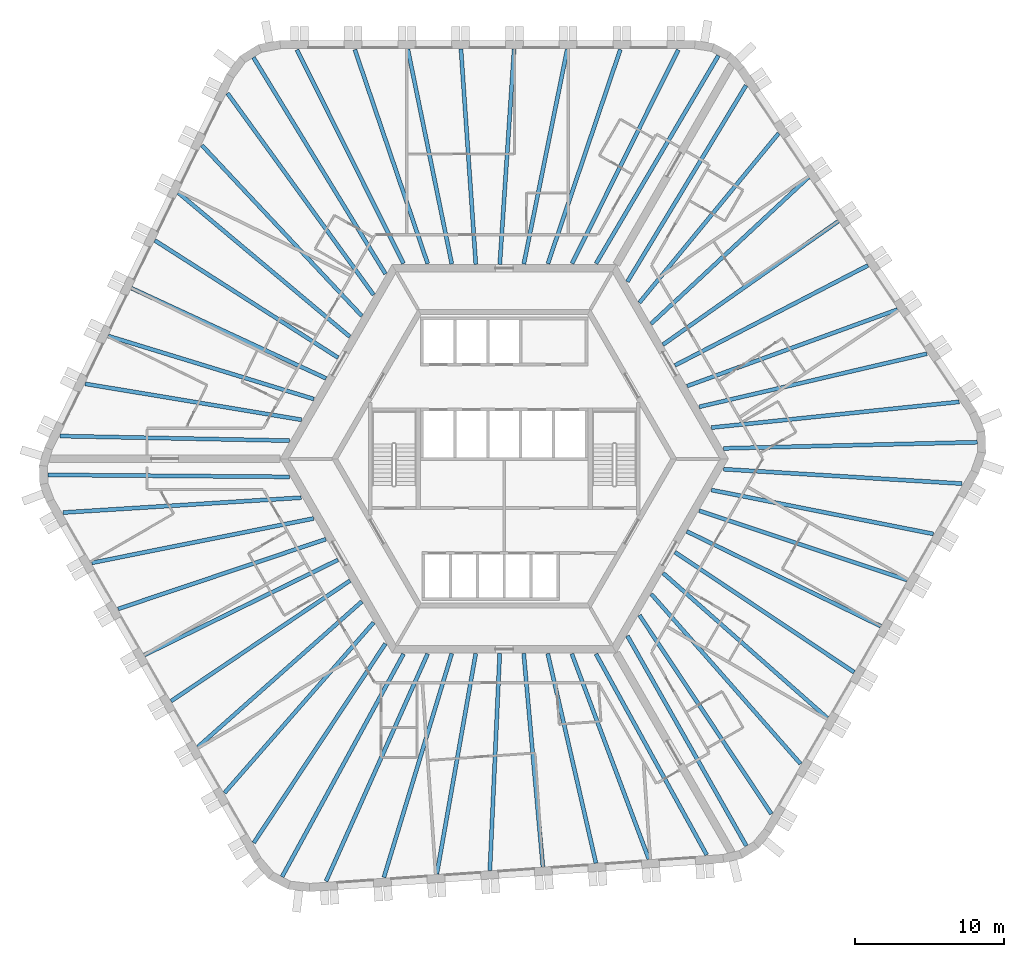
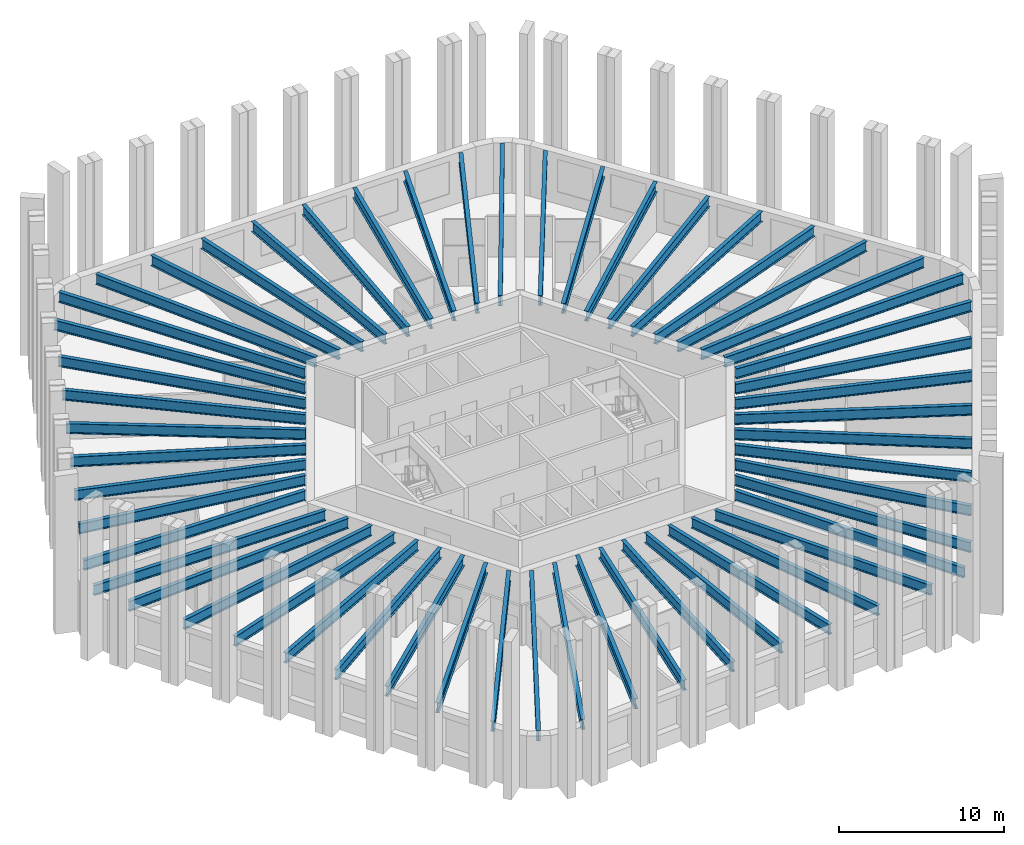
# One storey, part 1 of 11: 54 beams.
"""IFC4 building model written with IfcOpenShell, lengths in metres."""

from ifc_helpers import new_model, si_unit, direction, frame, origin, origin_2d, place, context, subcontext, project, spatial, i_section, extrude, material, material_profile, profile_set, type_object, element, save


model = new_model("IFC4")

# Units and contexts
model_context = context("Model", 3, precision=1e-05, world=origin(), true_north=direction((0.0, 1.0)))
body_context = subcontext(model_context, "Body", "Model", "MODEL_VIEW")
ifc_project = project(units=[si_unit("LENGTHUNIT", "METRE"), si_unit("AREAUNIT", "SQUARE_METRE"), si_unit("VOLUMEUNIT", "CUBIC_METRE"), si_unit("PLANEANGLEUNIT", "RADIAN"), si_unit("MASSUNIT", "GRAM", prefix="KILO")], contexts=[model_context])

# Site, building, storey
site_placement = place(None, origin())
site = spatial("IfcSite", under=ifc_project, at=site_placement, CompositionType="ELEMENT")
building_placement = place(site_placement, origin())
building = spatial("IfcBuilding", under=site, at=building_placement, Name="Tarnside Tower", CompositionType="ELEMENT")
storey_placement = place(building_placement, frame((0.0, 0.0, 183.89990234375)))
storey = spatial("IfcBuildingStorey", under=building, at=storey_placement, Name="L43", CompositionType="ELEMENT", Elevation=183.89990234375)

# Beams
ifc_material = material(Name="Steel S355", Category="steel")
ifc_material_profile_1 = material_profile(ifc_material, i_section(OverallWidth=0.26513671875, OverallDepth=0.75390625, WebThickness=0.0126953125, FlangeThickness=0.017578125, FilletRadius=0.0166015625, at=origin_2d()), Name="UB 762x267x147")
ifc_profile_set_1 = profile_set([ifc_material_profile_1], Name="Steel S355")
beam_type_1 = type_object("IfcBeamType", Name="Floor beam UB 762x267x147", PredefinedType="BEAM", material=ifc_profile_set_1)
beam_1_placement = place(storey_placement, frame((7.77001953125, 27.393310546875, 3.373046875), z_axis=(-0.320362579778, -0.947295000239, 0.0), x_axis=(0.947295000239, -0.320362579778, 0.0)))
element("IfcBeam", 1, at=beam_1_placement, inside=storey, type_object=beam_type_1, Name="Floor beam F1.02", PredefinedType="BEAM", context=body_context, shape_type="SweptSolid", body=[
    extrude(i_section(OverallWidth=0.26513671875, OverallDepth=0.75390625, WebThickness=0.0126953125, FlangeThickness=0.017578125, FilletRadius=0.0166015625, at=origin_2d()), origin(), (0.0, 0.0, 1.0), 15.134033203125),
])
beam_2_placement = place(storey_placement, frame((4.218505859375, 27.410888671875, 3.373046875), z_axis=(-0.19841777413, -0.980117537293, 0.0), x_axis=(0.980117537293, -0.19841777413, 0.0)))
element("IfcBeam", 2, at=beam_2_placement, inside=storey, type_object=beam_type_1, Name="Floor beam F1.03", PredefinedType="BEAM", context=body_context, shape_type="SweptSolid", body=[
    extrude(i_section(OverallWidth=0.26513671875, OverallDepth=0.75390625, WebThickness=0.0126953125, FlangeThickness=0.017578125, FilletRadius=0.0166015625, at=origin_2d()), origin(), (0.0, 0.0, 1.0), 14.6630859375),
])
beam_3_placement = place(storey_placement, frame((0.66259765625, 27.429931640625, 3.373046875), z_axis=(-0.066554914868, -0.997782763585, 0.0), x_axis=(0.997782763585, -0.066554914868, 0.0)))
element("IfcBeam", 3, at=beam_3_placement, inside=storey, type_object=beam_type_1, Name="Floor beam F1.04", PredefinedType="BEAM", context=body_context, shape_type="SweptSolid", body=[
    extrude(i_section(OverallWidth=0.26513671875, OverallDepth=0.75390625, WebThickness=0.0126953125, FlangeThickness=0.017578125, FilletRadius=0.0166015625, at=origin_2d()), origin(), (0.0, 0.0, 1.0), 14.44189453125),
])
beam_4_placement = place(storey_placement, frame((-2.8974609375, 27.429931640625, 3.373046875), z_axis=(0.068876921658, -0.997625164911, 0.0), x_axis=(0.997625164911, 0.068876921658, 0.0)))
element("IfcBeam", 4, at=beam_4_placement, inside=storey, type_object=beam_type_1, Name="Floor beam F1.05", PredefinedType="BEAM", context=body_context, shape_type="SweptSolid", body=[
    extrude(i_section(OverallWidth=0.26513671875, OverallDepth=0.75390625, WebThickness=0.0126953125, FlangeThickness=0.017578125, FilletRadius=0.0166015625, at=origin_2d()), origin(), (0.0, 0.0, 1.0), 14.4443359375),
])
beam_5_placement = place(storey_placement, frame((-6.45361328125, 27.410888671875, 3.373046875), z_axis=(0.200623497398, -0.979668419564, 0.0), x_axis=(0.979668419564, 0.200623497398, 0.0)))
element("IfcBeam", 5, at=beam_5_placement, inside=storey, type_object=beam_type_1, Name="Floor beam F1.06", PredefinedType="BEAM", context=body_context, shape_type="SweptSolid", body=[
    extrude(i_section(OverallWidth=0.26513671875, OverallDepth=0.75390625, WebThickness=0.0126953125, FlangeThickness=0.017578125, FilletRadius=0.0166015625, at=origin_2d()), origin(), (0.0, 0.0, 1.0), 14.669921875),
])
beam_6_placement = place(storey_placement, frame((-10.0048828125, 27.393310546875, 3.373046875), z_axis=(0.322343712034, -0.946622697442, 0.0), x_axis=(0.946622697442, 0.322343712034, 0.0)))
element("IfcBeam", 6, at=beam_6_placement, inside=storey, type_object=beam_type_1, Name="Floor beam F1.07", PredefinedType="BEAM", context=body_context, shape_type="SweptSolid", body=[
    extrude(i_section(OverallWidth=0.26513671875, OverallDepth=0.75390625, WebThickness=0.0126953125, FlangeThickness=0.017578125, FilletRadius=0.0166015625, at=origin_2d()), origin(), (0.0, 0.0, 1.0), 15.144775390625),
])
beam_7_placement = place(storey_placement, frame((-20.241455078125, 20.9892578125, 3.373046875), z_axis=(0.683752330283, -0.729714156936, 0.0), x_axis=(0.729714156936, 0.683752330283, 0.0)))
element("IfcBeam", 7, at=beam_7_placement, inside=storey, type_object=beam_type_1, Name="Floor beam F2.02", PredefinedType="BEAM", context=body_context, shape_type="SweptSolid", body=[
    extrude(i_section(OverallWidth=0.26513671875, OverallDepth=0.75390625, WebThickness=0.0126953125, FlangeThickness=0.017578125, FilletRadius=0.0166015625, at=origin_2d()), origin(), (0.0, 0.0, 1.0), 15.6591796875),
])
beam_8_placement = place(storey_placement, frame((-21.81396484375, 17.80419921875, 3.373046875), z_axis=(0.765948461073, -0.642901979294, 0.0), x_axis=(0.642901979294, 0.765948461073, 0.0)))
element("IfcBeam", 8, at=beam_8_placement, inside=storey, type_object=beam_type_1, Name="Floor beam F2.03", PredefinedType="BEAM", context=body_context, shape_type="SweptSolid", body=[
    extrude(i_section(OverallWidth=0.26513671875, OverallDepth=0.75390625, WebThickness=0.0126953125, FlangeThickness=0.017578125, FilletRadius=0.0166015625, at=origin_2d()), origin(), (0.0, 0.0, 1.0), 14.982177734375),
])
beam_9_placement = place(storey_placement, frame((-23.389892578125, 14.616455078125, 3.373046875), z_axis=(0.842378275633, -0.538886667808, 0.0), x_axis=(0.538886667808, 0.842378275633, 0.0)))
element("IfcBeam", 9, at=beam_9_placement, inside=storey, type_object=beam_type_1, Name="Floor beam F2.04", PredefinedType="BEAM", context=body_context, shape_type="SweptSolid", body=[
    extrude(i_section(OverallWidth=0.26513671875, OverallDepth=0.75390625, WebThickness=0.0126953125, FlangeThickness=0.017578125, FilletRadius=0.0166015625, at=origin_2d()), origin(), (0.0, 0.0, 1.0), 14.5595703125),
])
beam_10_placement = place(storey_placement, frame((-24.9501953125, 11.416748046875, 3.373046875), z_axis=(0.907310131748, -0.420462037321, 0.0), x_axis=(0.420462037321, 0.907310131748, 0.0)))
element("IfcBeam", 10, at=beam_10_placement, inside=storey, type_object=beam_type_1, Name="Floor beam F2.05", PredefinedType="BEAM", context=body_context, shape_type="SweptSolid", body=[
    extrude(i_section(OverallWidth=0.26513671875, OverallDepth=0.75390625, WebThickness=0.0126953125, FlangeThickness=0.017578125, FilletRadius=0.0166015625, at=origin_2d()), origin(), (0.0, 0.0, 1.0), 14.353515625),
])
beam_11_placement = place(storey_placement, frame((-26.510986328125, 8.2177734375, 3.373046875), z_axis=(0.956073348261, -0.293127536654, 0.0), x_axis=(0.293127536654, 0.956073348261, 0.0)))
element("IfcBeam", 11, at=beam_11_placement, inside=storey, type_object=beam_type_1, Name="Floor beam F2.06", PredefinedType="BEAM", context=body_context, shape_type="SweptSolid", body=[
    extrude(i_section(OverallWidth=0.26513671875, OverallDepth=0.75390625, WebThickness=0.0126953125, FlangeThickness=0.017578125, FilletRadius=0.0166015625, at=origin_2d()), origin(), (0.0, 0.0, 1.0), 14.3955078125),
])
beam_12_placement = place(storey_placement, frame((-28.0517578125, 5.015869140625, 3.373046875), z_axis=(0.986476498304, -0.163902770858, 0.0), x_axis=(0.163902770858, 0.986476498304, 0.0)))
element("IfcBeam", 12, at=beam_12_placement, inside=storey, type_object=beam_type_1, Name="Floor beam F2.07", PredefinedType="BEAM", context=body_context, shape_type="SweptSolid", body=[
    extrude(i_section(OverallWidth=0.26513671875, OverallDepth=0.75390625, WebThickness=0.0126953125, FlangeThickness=0.017578125, FilletRadius=0.0166015625, at=origin_2d()), origin(), (0.0, 0.0, 1.0), 14.680908203125),
])
beam_13_placement = place(storey_placement, frame((-29.73828125, 1.521484375, 3.373046875), z_axis=(0.999800142641, -0.019991867701, 0.0), x_axis=(0.019991867701, 0.999800142641, 0.0)))
element("IfcBeam", 13, at=beam_13_placement, inside=storey, type_object=beam_type_1, Name="Floor beam F2.08", PredefinedType="BEAM", context=body_context, shape_type="SweptSolid", body=[
    extrude(i_section(OverallWidth=0.26513671875, OverallDepth=0.75390625, WebThickness=0.0126953125, FlangeThickness=0.017578125, FilletRadius=0.0166015625, at=origin_2d()), origin(), (0.0, 0.0, 1.0), 15.3505859375),
])
beam_14_placement = place(storey_placement, frame((-27.608154296875, -6.967529296875, 3.373046875), z_axis=(0.980564540422, 0.196196794232, 0.0), x_axis=(-0.196196794232, 0.980564540422, 0.0)))
element("IfcBeam", 14, at=beam_14_placement, inside=storey, type_object=beam_type_1, Name="Floor beam F3.02", PredefinedType="BEAM", context=body_context, shape_type="SweptSolid", body=[
    extrude(i_section(OverallWidth=0.26513671875, OverallDepth=0.75390625, WebThickness=0.0126953125, FlangeThickness=0.017578125, FilletRadius=0.0166015625, at=origin_2d()), origin(), (0.0, 0.0, 1.0), 15.134033203125),
])
beam_15_placement = place(storey_placement, frame((-25.84765625, -10.052001953125, 3.373046875), z_axis=(0.948011835322, 0.31823507049, 0.0), x_axis=(-0.31823507049, 0.948011835322, 0.0)))
element("IfcBeam", 15, at=beam_15_placement, inside=storey, type_object=beam_type_1, Name="Floor beam F3.03", PredefinedType="BEAM", context=body_context, shape_type="SweptSolid", body=[
    extrude(i_section(OverallWidth=0.26513671875, OverallDepth=0.75390625, WebThickness=0.0126953125, FlangeThickness=0.017578125, FilletRadius=0.0166015625, at=origin_2d()), origin(), (0.0, 0.0, 1.0), 14.662841796875),
])
beam_16_placement = place(storey_placement, frame((-24.086181640625, -13.141357421875, 3.373046875), z_axis=(0.897375974806, 0.441266767206, 0.0), x_axis=(-0.441266767206, 0.897375974806, 0.0)))
element("IfcBeam", 16, at=beam_16_placement, inside=storey, type_object=beam_type_1, Name="Floor beam F3.04", PredefinedType="BEAM", context=body_context, shape_type="SweptSolid", body=[
    extrude(i_section(OverallWidth=0.26513671875, OverallDepth=0.75390625, WebThickness=0.0126953125, FlangeThickness=0.017578125, FilletRadius=0.0166015625, at=origin_2d()), origin(), (0.0, 0.0, 1.0), 14.442138671875),
])
beam_17_placement = place(storey_placement, frame((-22.306396484375, -16.224365234375, 3.373046875), z_axis=(0.829532486243, 0.558458462437, 0.0), x_axis=(-0.558458462437, 0.829532486243, 0.0)))
element("IfcBeam", 17, at=beam_17_placement, inside=storey, type_object=beam_type_1, Name="Floor beam F3.05", PredefinedType="BEAM", context=body_context, shape_type="SweptSolid", body=[
    extrude(i_section(OverallWidth=0.26513671875, OverallDepth=0.75390625, WebThickness=0.0126953125, FlangeThickness=0.017578125, FilletRadius=0.0166015625, at=origin_2d()), origin(), (0.0, 0.0, 1.0), 14.444580078125),
])
beam_18_placement = place(storey_placement, frame((-20.51171875, -19.294189453125, 3.373046875), z_axis=(0.74811408094, 0.663570133369, 0.0), x_axis=(-0.663570133369, 0.74811408094, 0.0)))
element("IfcBeam", 18, at=beam_18_placement, inside=storey, type_object=beam_type_1, Name="Floor beam F3.06", PredefinedType="BEAM", context=body_context, shape_type="SweptSolid", body=[
    extrude(i_section(OverallWidth=0.26513671875, OverallDepth=0.75390625, WebThickness=0.0126953125, FlangeThickness=0.017578125, FilletRadius=0.0166015625, at=origin_2d()), origin(), (0.0, 0.0, 1.0), 14.669677734375),
])
beam_19_placement = place(storey_placement, frame((-18.720703125, -22.361083984375, 3.373046875), z_axis=(0.658621010302, 0.752474826681, 0.0), x_axis=(-0.752474826681, 0.658621010302, 0.0)))
element("IfcBeam", 19, at=beam_19_placement, inside=storey, type_object=beam_type_1, Name="Floor beam F3.07", PredefinedType="BEAM", context=body_context, shape_type="SweptSolid", body=[
    extrude(i_section(OverallWidth=0.26513671875, OverallDepth=0.75390625, WebThickness=0.0126953125, FlangeThickness=0.017578125, FilletRadius=0.0166015625, at=origin_2d()), origin(), (0.0, 0.0, 1.0), 15.144775390625),
])
beam_20_placement = place(storey_placement, frame((-8.056396484375, -28.024169921875, 3.373046875), z_axis=(0.290070138838, 0.957005388989, 0.0), x_axis=(-0.957005388989, 0.290070138838, 0.0)))
element("IfcBeam", 20, at=beam_20_placement, inside=storey, type_object=beam_type_1, Name="Floor beam F4.02", PredefinedType="BEAM", context=body_context, shape_type="SweptSolid", body=[
    extrude(i_section(OverallWidth=0.26513671875, OverallDepth=0.75390625, WebThickness=0.0126953125, FlangeThickness=0.017578125, FilletRadius=0.0166015625, at=origin_2d()), origin(), (0.0, 0.0, 1.0), 15.6591796875),
])
beam_21_placement = place(storey_placement, frame((-4.511962890625, -27.793701171875, 3.373046875), z_axis=(0.173788122681, 0.984783066678, 0.0), x_axis=(-0.984783066678, 0.173788122681, 0.0)))
element("IfcBeam", 21, at=beam_21_placement, inside=storey, type_object=beam_type_1, Name="Floor beam F4.03", PredefinedType="BEAM", context=body_context, shape_type="SweptSolid", body=[
    extrude(i_section(OverallWidth=0.26513671875, OverallDepth=0.75390625, WebThickness=0.0126953125, FlangeThickness=0.017578125, FilletRadius=0.0166015625, at=origin_2d()), origin(), (0.0, 0.0, 1.0), 14.982421875),
])
beam_22_placement = place(storey_placement, frame((-0.96337890625, -27.564453125, 3.373046875), z_axis=(0.045509585226, 0.998963902077, 0.0), x_axis=(-0.998963902077, 0.045509585226, 0.0)))
element("IfcBeam", 22, at=beam_22_placement, inside=storey, type_object=beam_type_1, Name="Floor beam F4.04", PredefinedType="BEAM", context=body_context, shape_type="SweptSolid", body=[
    extrude(i_section(OverallWidth=0.26513671875, OverallDepth=0.75390625, WebThickness=0.0126953125, FlangeThickness=0.017578125, FilletRadius=0.0166015625, at=origin_2d()), origin(), (0.0, 0.0, 1.0), 14.5595703125),
])
beam_23_placement = place(storey_placement, frame((2.587890625, -27.31591796875, 3.373046875), z_axis=(-0.089518916897, 0.995985122137, 0.0), x_axis=(-0.995985122137, -0.089518916897, 0.0)))
element("IfcBeam", 23, at=beam_23_placement, inside=storey, type_object=beam_type_1, Name="Floor beam F4.05", PredefinedType="BEAM", context=body_context, shape_type="SweptSolid", body=[
    extrude(i_section(OverallWidth=0.26513671875, OverallDepth=0.75390625, WebThickness=0.0126953125, FlangeThickness=0.017578125, FilletRadius=0.0166015625, at=origin_2d()), origin(), (0.0, 0.0, 1.0), 14.353515625),
])
beam_24_placement = place(storey_placement, frame((6.138671875, -27.068115234375, 3.373046875), z_axis=(-0.224188122435, 0.974545886944, 0.0), x_axis=(-0.974545886944, -0.224188122435, 0.0)))
element("IfcBeam", 24, at=beam_24_placement, inside=storey, type_object=beam_type_1, Name="Floor beam F4.06", PredefinedType="BEAM", context=body_context, shape_type="SweptSolid", body=[
    extrude(i_section(OverallWidth=0.26513671875, OverallDepth=0.75390625, WebThickness=0.0126953125, FlangeThickness=0.017578125, FilletRadius=0.0166015625, at=origin_2d()), origin(), (0.0, 0.0, 1.0), 14.3955078125),
])
beam_25_placement = place(storey_placement, frame((9.681884765625, -26.801513671875, 3.373046875), z_axis=(-0.351271055087, 0.936273809234, 0.0), x_axis=(-0.936273809234, -0.351271055087, 0.0)))
element("IfcBeam", 25, at=beam_25_placement, inside=storey, type_object=beam_type_1, Name="Floor beam F4.07", PredefinedType="BEAM", context=body_context, shape_type="SweptSolid", body=[
    extrude(i_section(OverallWidth=0.26513671875, OverallDepth=0.75390625, WebThickness=0.0126953125, FlangeThickness=0.017578125, FilletRadius=0.0166015625, at=origin_2d()), origin(), (0.0, 0.0, 1.0), 14.680908203125),
])
beam_26_placement = place(storey_placement, frame((13.551513671875, -26.514892578125, 3.373046875), z_axis=(-0.482584088089, 0.875849643445, 0.0), x_axis=(-0.875849643445, -0.482584088089, 0.0)))
element("IfcBeam", 26, at=beam_26_placement, inside=storey, type_object=beam_type_1, Name="Floor beam F4.08", PredefinedType="BEAM", context=body_context, shape_type="SweptSolid", body=[
    extrude(i_section(OverallWidth=0.26513671875, OverallDepth=0.75390625, WebThickness=0.0126953125, FlangeThickness=0.017578125, FilletRadius=0.0166015625, at=origin_2d()), origin(), (0.0, 0.0, 1.0), 15.3505859375),
])
beam_27_placement = place(storey_placement, frame((19.838134765625, -20.425537109375, 3.373046875), z_axis=(-0.660201214512, 0.751088780609, 0.0), x_axis=(-0.751088780609, -0.660201214512, 0.0)))
element("IfcBeam", 27, at=beam_27_placement, inside=storey, type_object=beam_type_1, Name="Floor beam F5.02", PredefinedType="BEAM", context=body_context, shape_type="SweptSolid", body=[
    extrude(i_section(OverallWidth=0.26513671875, OverallDepth=0.75390625, WebThickness=0.0126953125, FlangeThickness=0.017578125, FilletRadius=0.0166015625, at=origin_2d()), origin(), (0.0, 0.0, 1.0), 15.134033203125),
])
beam_28_placement = place(storey_placement, frame((21.629150390625, -17.358642578125, 3.373046875), z_axis=(-0.749601662028, 0.661889226597, 0.0), x_axis=(-0.661889226597, -0.749601662028, 0.0)))
element("IfcBeam", 28, at=beam_28_placement, inside=storey, type_object=beam_type_1, Name="Floor beam F5.03", PredefinedType="BEAM", context=body_context, shape_type="SweptSolid", body=[
    extrude(i_section(OverallWidth=0.26513671875, OverallDepth=0.75390625, WebThickness=0.0126953125, FlangeThickness=0.017578125, FilletRadius=0.0166015625, at=origin_2d()), origin(), (0.0, 0.0, 1.0), 14.6630859375),
])
beam_29_placement = place(storey_placement, frame((23.423828125, -14.288818359375, 3.373046875), z_axis=(-0.830825943553, 0.556532345439, 0.0), x_axis=(-0.556532345439, -0.830825943553, 0.0)))
element("IfcBeam", 29, at=beam_29_placement, inside=storey, type_object=beam_type_1, Name="Floor beam F5.04", PredefinedType="BEAM", context=body_context, shape_type="SweptSolid", body=[
    extrude(i_section(OverallWidth=0.26513671875, OverallDepth=0.75390625, WebThickness=0.0126953125, FlangeThickness=0.017578125, FilletRadius=0.0166015625, at=origin_2d()), origin(), (0.0, 0.0, 1.0), 14.4423828125),
])
beam_30_placement = place(storey_placement, frame((25.203857421875, -11.205810546875, 3.373046875), z_axis=(-0.898407034897, 0.43916375038, 0.0), x_axis=(-0.43916375038, -0.898407034897, 0.0)))
element("IfcBeam", 30, at=beam_30_placement, inside=storey, type_object=beam_type_1, Name="Floor beam F5.05", PredefinedType="BEAM", context=body_context, shape_type="SweptSolid", body=[
    extrude(i_section(OverallWidth=0.26513671875, OverallDepth=0.75390625, WebThickness=0.0126953125, FlangeThickness=0.017578125, FilletRadius=0.0166015625, at=origin_2d()), origin(), (0.0, 0.0, 1.0), 14.444580078125),
])
beam_31_placement = place(storey_placement, frame((26.965087890625, -8.116455078125, 3.373046875), z_axis=(-0.948728223501, 0.31609295774, 0.0), x_axis=(-0.31609295774, -0.948728223501, 0.0)))
element("IfcBeam", 31, at=beam_31_placement, inside=storey, type_object=beam_type_1, Name="Floor beam F5.06", PredefinedType="BEAM", context=body_context, shape_type="SweptSolid", body=[
    extrude(i_section(OverallWidth=0.26513671875, OverallDepth=0.75390625, WebThickness=0.0126953125, FlangeThickness=0.017578125, FilletRadius=0.0166015625, at=origin_2d()), origin(), (0.0, 0.0, 1.0), 14.669677734375),
])
beam_32_placement = place(storey_placement, frame((28.7255859375, -5.031982421875, 3.373046875), z_axis=(-0.980974250646, 0.194137888034, 0.0), x_axis=(-0.194137888034, -0.980974250646, 0.0)))
element("IfcBeam", 32, at=beam_32_placement, inside=storey, type_object=beam_type_1, Name="Floor beam F5.07", PredefinedType="BEAM", context=body_context, shape_type="SweptSolid", body=[
    extrude(i_section(OverallWidth=0.26513671875, OverallDepth=0.75390625, WebThickness=0.0126953125, FlangeThickness=0.017578125, FilletRadius=0.0166015625, at=origin_2d()), origin(), (0.0, 0.0, 1.0), 15.144775390625),
])
beam_33_placement = place(storey_placement, frame((28.2978515625, 7.034912109375, 3.373046875), z_axis=(-0.973828212928, -0.227285309042, 0.0), x_axis=(0.227285309042, -0.973828212928, 0.0)))
element("IfcBeam", 33, at=beam_33_placement, inside=storey, type_object=beam_type_1, Name="Floor beam F6.02", PredefinedType="BEAM", context=body_context, shape_type="SweptSolid", body=[
    extrude(i_section(OverallWidth=0.26513671875, OverallDepth=0.75390625, WebThickness=0.0126953125, FlangeThickness=0.017578125, FilletRadius=0.0166015625, at=origin_2d()), origin(), (0.0, 0.0, 1.0), 15.6591796875),
])
beam_34_placement = place(storey_placement, frame((26.325927734375, 9.989501953125, 3.373046875), z_axis=(-0.939738697004, -0.341893523415, 0.0), x_axis=(0.341893523415, -0.939738697004, 0.0)))
element("IfcBeam", 34, at=beam_34_placement, inside=storey, type_object=beam_type_1, Name="Floor beam F6.03", PredefinedType="BEAM", context=body_context, shape_type="SweptSolid", body=[
    extrude(i_section(OverallWidth=0.26513671875, OverallDepth=0.75390625, WebThickness=0.0126953125, FlangeThickness=0.017578125, FilletRadius=0.0166015625, at=origin_2d()), origin(), (0.0, 0.0, 1.0), 14.982177734375),
])
beam_35_placement = place(storey_placement, frame((24.353271484375, 12.947998046875, 3.373046875), z_axis=(-0.887881646639, -0.460071930856, 0.0), x_axis=(0.460071930856, -0.887881646639, 0.0)))
element("IfcBeam", 35, at=beam_35_placement, inside=storey, type_object=beam_type_1, Name="Floor beam F6.04", PredefinedType="BEAM", context=body_context, shape_type="SweptSolid", body=[
    extrude(i_section(OverallWidth=0.26513671875, OverallDepth=0.75390625, WebThickness=0.0126953125, FlangeThickness=0.017578125, FilletRadius=0.0166015625, at=origin_2d()), origin(), (0.0, 0.0, 1.0), 14.5595703125),
])
beam_36_placement = place(storey_placement, frame((22.3623046875, 15.899169921875, 3.373046875), z_axis=(-0.817791001708, -0.575515314762, 0.0), x_axis=(0.575515314762, -0.817791001708, 0.0)))
element("IfcBeam", 36, at=beam_36_placement, inside=storey, type_object=beam_type_1, Name="Floor beam F6.05", PredefinedType="BEAM", context=body_context, shape_type="SweptSolid", body=[
    extrude(i_section(OverallWidth=0.26513671875, OverallDepth=0.75390625, WebThickness=0.0126953125, FlangeThickness=0.017578125, FilletRadius=0.0166015625, at=origin_2d()), origin(), (0.0, 0.0, 1.0), 14.353759765625),
])
beam_37_placement = place(storey_placement, frame((20.372314453125, 18.850341796875, 3.373046875), z_axis=(-0.731892224456, -0.681420407517, 0.0), x_axis=(0.681420407517, -0.731892224456, 0.0)))
element("IfcBeam", 37, at=beam_37_placement, inside=storey, type_object=beam_type_1, Name="Floor beam F6.06", PredefinedType="BEAM", context=body_context, shape_type="SweptSolid", body=[
    extrude(i_section(OverallWidth=0.26513671875, OverallDepth=0.75390625, WebThickness=0.0126953125, FlangeThickness=0.017578125, FilletRadius=0.0166015625, at=origin_2d()), origin(), (0.0, 0.0, 1.0), 14.3955078125),
])
beam_38_placement = place(storey_placement, frame((18.369873046875, 21.78564453125, 3.373046875), z_axis=(-0.635191827457, -0.772354414975, 0.0), x_axis=(0.772354414975, -0.635191827457, 0.0)))
element("IfcBeam", 38, at=beam_38_placement, inside=storey, type_object=beam_type_1, Name="Floor beam F6.07", PredefinedType="BEAM", context=body_context, shape_type="SweptSolid", body=[
    extrude(i_section(OverallWidth=0.26513671875, OverallDepth=0.75390625, WebThickness=0.0126953125, FlangeThickness=0.017578125, FilletRadius=0.0166015625, at=origin_2d()), origin(), (0.0, 0.0, 1.0), 14.680908203125),
])
beam_39_placement = place(storey_placement, frame((16.186767578125, 24.993408203125, 3.373046875), z_axis=(-0.517208605106, -0.855859368591, 0.0), x_axis=(0.855859368591, -0.517208605106, 0.0)))
element("IfcBeam", 39, at=beam_39_placement, inside=storey, type_object=beam_type_1, Name="Floor beam F6.08", PredefinedType="BEAM", context=body_context, shape_type="SweptSolid", body=[
    extrude(i_section(OverallWidth=0.26513671875, OverallDepth=0.75390625, WebThickness=0.0126953125, FlangeThickness=0.017578125, FilletRadius=0.0166015625, at=origin_2d()), origin(), (0.0, 0.0, 1.0), 15.3505859375),
])
ifc_material_profile_2 = material_profile(ifc_material, i_section(OverallWidth=0.2666015625, OverallDepth=0.76220703125, WebThickness=0.014404296875, FlangeThickness=0.021484375, FilletRadius=0.0166015625, at=origin_2d()), Name="UB 762x267x173")
ifc_profile_set_2 = profile_set([ifc_material_profile_2], Name="Steel S355")
beam_type_2 = type_object("IfcBeamType", Name="Floor beam UB 762x267x173", PredefinedType="BEAM", material=ifc_profile_set_2)
beam_40_placement = place(storey_placement, frame((11.6494140625, 27.37841796875, 3.368896484375), z_axis=(-0.445042310328, -0.895509543231, 0.0), x_axis=(0.895509543231, -0.445042310328, 0.0)))
element("IfcBeam", 40, at=beam_40_placement, inside=storey, type_object=beam_type_2, Name="Floor beam F1.01", PredefinedType="BEAM", context=body_context, shape_type="SweptSolid", body=[
    extrude(i_section(OverallWidth=0.2666015625, OverallDepth=0.76220703125, WebThickness=0.014404296875, FlangeThickness=0.021484375, FilletRadius=0.0166015625, at=origin_2d()), origin(), (0.0, 0.0, 1.0), 15.976318359375),
])
beam_41_placement = place(storey_placement, frame((-13.884521484375, 27.37841796875, 3.368896484375), z_axis=(0.44673108957, -0.894668281326, 0.0), x_axis=(0.894668281326, 0.44673108957, 0.0)))
element("IfcBeam", 41, at=beam_41_placement, inside=storey, type_object=beam_type_2, Name="Floor beam F1.08", PredefinedType="BEAM", context=body_context, shape_type="SweptSolid", body=[
    extrude(i_section(OverallWidth=0.2666015625, OverallDepth=0.76220703125, WebThickness=0.014404296875, FlangeThickness=0.021484375, FilletRadius=0.0166015625, at=origin_2d()), origin(), (0.0, 0.0, 1.0), 15.9912109375),
])
beam_42_placement = place(storey_placement, frame((-16.79345703125, 26.86962890625, 3.368896484375), z_axis=(0.520940467881, -0.853593011291, 0.0), x_axis=(0.853593011291, 0.520940467881, 0.0)))
element("IfcBeam", 42, at=beam_42_placement, inside=storey, type_object=beam_type_2, Name="Floor beam C1", PredefinedType="BEAM", context=body_context, shape_type="SweptSolid", body=[
    extrude(i_section(OverallWidth=0.2666015625, OverallDepth=0.76220703125, WebThickness=0.014404296875, FlangeThickness=0.021484375, FilletRadius=0.0166015625, at=origin_2d()), origin(), (0.0, 0.0, 1.0), 16.980712890625),
])
beam_43_placement = place(storey_placement, frame((-18.52685546875, 24.471435546875, 3.368896484375), z_axis=(0.586791943415, -0.80973774467, 0.0), x_axis=(0.80973774467, 0.586791943415, 0.0)))
element("IfcBeam", 43, at=beam_43_placement, inside=storey, type_object=beam_type_2, Name="Floor beam F2.01", PredefinedType="BEAM", context=body_context, shape_type="SweptSolid", body=[
    extrude(i_section(OverallWidth=0.2666015625, OverallDepth=0.76220703125, WebThickness=0.014404296875, FlangeThickness=0.021484375, FilletRadius=0.0166015625, at=origin_2d()), origin(), (0.0, 0.0, 1.0), 16.67578125),
])
beam_44_placement = place(storey_placement, frame((-30.543212890625, -1.079345703125, 3.368896484375), z_axis=(0.999966072652, -0.008237326324, 0.0), x_axis=(0.008237326324, 0.999966072652, 0.0)))
element("IfcBeam", 44, at=beam_44_placement, inside=storey, type_object=beam_type_2, Name="Floor beam C2", PredefinedType="BEAM", context=body_context, shape_type="SweptSolid", body=[
    extrude(i_section(OverallWidth=0.2666015625, OverallDepth=0.76220703125, WebThickness=0.014404296875, FlangeThickness=0.021484375, FilletRadius=0.0166015625, at=origin_2d()), origin(), (0.0, 0.0, 1.0), 16.15283203125),
])
beam_45_placement = place(storey_placement, frame((-29.534912109375, -3.6005859375, 3.368896484375), z_axis=(0.99805531279, 0.062334521832, 0.0), x_axis=(-0.062334521832, 0.99805531279, 0.0)))
element("IfcBeam", 45, at=beam_45_placement, inside=storey, type_object=beam_type_2, Name="Floor beam F3.01", PredefinedType="BEAM", context=body_context, shape_type="SweptSolid", body=[
    extrude(i_section(OverallWidth=0.2666015625, OverallDepth=0.76220703125, WebThickness=0.014404296875, FlangeThickness=0.021484375, FilletRadius=0.0166015625, at=origin_2d()), origin(), (0.0, 0.0, 1.0), 15.975830078125),
])
beam_46_placement = place(storey_placement, frame((-16.768310546875, -25.71337890625, 3.368896484375), z_axis=(0.551447600123, 0.834209532623, 0.0), x_axis=(-0.834209532623, 0.551447600123, 0.0)))
element("IfcBeam", 46, at=beam_46_placement, inside=storey, type_object=beam_type_2, Name="Floor beam F3.08", PredefinedType="BEAM", context=body_context, shape_type="SweptSolid", body=[
    extrude(i_section(OverallWidth=0.2666015625, OverallDepth=0.76220703125, WebThickness=0.014404296875, FlangeThickness=0.021484375, FilletRadius=0.0166015625, at=origin_2d()), origin(), (0.0, 0.0, 1.0), 15.9912109375),
])
beam_47_placement = place(storey_placement, frame((-14.873046875, -27.978515625, 3.368896484375), z_axis=(0.478767512404, 0.877941723047, 0.0), x_axis=(-0.877941723047, 0.478767512404, 0.0)))
element("IfcBeam", 47, at=beam_47_placement, inside=storey, type_object=beam_type_2, Name="Floor beam C3", PredefinedType="BEAM", context=body_context, shape_type="SweptSolid", body=[
    extrude(i_section(OverallWidth=0.2666015625, OverallDepth=0.76220703125, WebThickness=0.014404296875, FlangeThickness=0.021484375, FilletRadius=0.0166015625, at=origin_2d()), origin(), (0.0, 0.0, 1.0), 16.98095703125),
])
beam_48_placement = place(storey_placement, frame((-11.929443359375, -28.280517578125, 3.368896484375), z_axis=(0.407852035629, 0.913048036542, 0.0), x_axis=(-0.913048036542, 0.407852035629, 0.0)))
element("IfcBeam", 48, at=beam_48_placement, inside=storey, type_object=beam_type_2, Name="Floor beam F4.01", PredefinedType="BEAM", context=body_context, shape_type="SweptSolid", body=[
    extrude(i_section(OverallWidth=0.2666015625, OverallDepth=0.76220703125, WebThickness=0.014404296875, FlangeThickness=0.021484375, FilletRadius=0.0166015625, at=origin_2d()), origin(), (0.0, 0.0, 1.0), 16.67578125),
])
beam_49_placement = place(storey_placement, frame((16.206298828125, -25.91162109375, 3.368896484375), z_axis=(-0.492847437034, 0.870115741616, 0.0), x_axis=(-0.870115741616, -0.492847437034, 0.0)))
element("IfcBeam", 49, at=beam_49_placement, inside=storey, type_object=beam_type_2, Name="Floor beam C4", PredefinedType="BEAM", context=body_context, shape_type="SweptSolid", body=[
    extrude(i_section(OverallWidth=0.2666015625, OverallDepth=0.76220703125, WebThickness=0.014404296875, FlangeThickness=0.021484375, FilletRadius=0.0166015625, at=origin_2d()), origin(), (0.0, 0.0, 1.0), 16.15283203125),
])
beam_50_placement = place(storey_placement, frame((17.8857421875, -23.77783203125, 3.368896484375), z_axis=(-0.553013371197, 0.833172377889, 0.0), x_axis=(-0.833172377889, -0.553013371197, 0.0)))
element("IfcBeam", 50, at=beam_50_placement, inside=storey, type_object=beam_type_2, Name="Floor beam F5.01", PredefinedType="BEAM", context=body_context, shape_type="SweptSolid", body=[
    extrude(i_section(OverallWidth=0.2666015625, OverallDepth=0.76220703125, WebThickness=0.014404296875, FlangeThickness=0.021484375, FilletRadius=0.0166015625, at=origin_2d()), origin(), (0.0, 0.0, 1.0), 15.97607421875),
])
beam_51_placement = place(storey_placement, frame((30.652587890625, -1.6650390625, 3.368896484375), z_axis=(-0.998170730858, 0.060458184371, 0.0), x_axis=(-0.060458184371, -0.998170730858, 0.0)))
element("IfcBeam", 51, at=beam_51_placement, inside=storey, type_object=beam_type_2, Name="Floor beam F5.08", PredefinedType="BEAM", context=body_context, shape_type="SweptSolid", body=[
    extrude(i_section(OverallWidth=0.2666015625, OverallDepth=0.76220703125, WebThickness=0.014404296875, FlangeThickness=0.021484375, FilletRadius=0.0166015625, at=origin_2d()), origin(), (0.0, 0.0, 1.0), 15.9912109375),
])
beam_52_placement = place(storey_placement, frame((31.66650390625, 1.108642578125, 3.368896484375), z_axis=(-0.999703706976, -0.024341287118, 0.0), x_axis=(0.024341287118, -0.999703706976, 0.0)))
element("IfcBeam", 52, at=beam_52_placement, inside=storey, type_object=beam_type_2, Name="Floor beam C5", PredefinedType="BEAM", context=body_context, shape_type="SweptSolid", body=[
    extrude(i_section(OverallWidth=0.2666015625, OverallDepth=0.76220703125, WebThickness=0.014404296875, FlangeThickness=0.021484375, FilletRadius=0.0166015625, at=origin_2d()), origin(), (0.0, 0.0, 1.0), 16.980712890625),
])
beam_53_placement = place(storey_placement, frame((30.456298828125, 3.80908203125, 3.368896484375), z_axis=(-0.994648352349, -0.103318222829, 0.0), x_axis=(0.103318222829, -0.994648352349, 0.0)))
element("IfcBeam", 53, at=beam_53_placement, inside=storey, type_object=beam_type_2, Name="Floor beam F6.01", PredefinedType="BEAM", context=body_context, shape_type="SweptSolid", body=[
    extrude(i_section(OverallWidth=0.2666015625, OverallDepth=0.76220703125, WebThickness=0.014404296875, FlangeThickness=0.021484375, FilletRadius=0.0166015625, at=origin_2d()), origin(), (0.0, 0.0, 1.0), 16.67578125),
])
beam_54_placement = place(storey_placement, frame((14.3369140625, 26.990966796875, 3.368896484375), z_axis=(-0.507115238706, -0.861878259775, 0.0), x_axis=(0.861878259775, -0.507115238706, 0.0)))
element("IfcBeam", 54, at=beam_54_placement, inside=storey, type_object=beam_type_2, Name="Floor beam C6", PredefinedType="BEAM", context=body_context, shape_type="SweptSolid", body=[
    extrude(i_section(OverallWidth=0.2666015625, OverallDepth=0.76220703125, WebThickness=0.014404296875, FlangeThickness=0.021484375, FilletRadius=0.0166015625, at=origin_2d()), origin(), (0.0, 0.0, 1.0), 16.15283203125),
])

save(model, "model.ifc")
